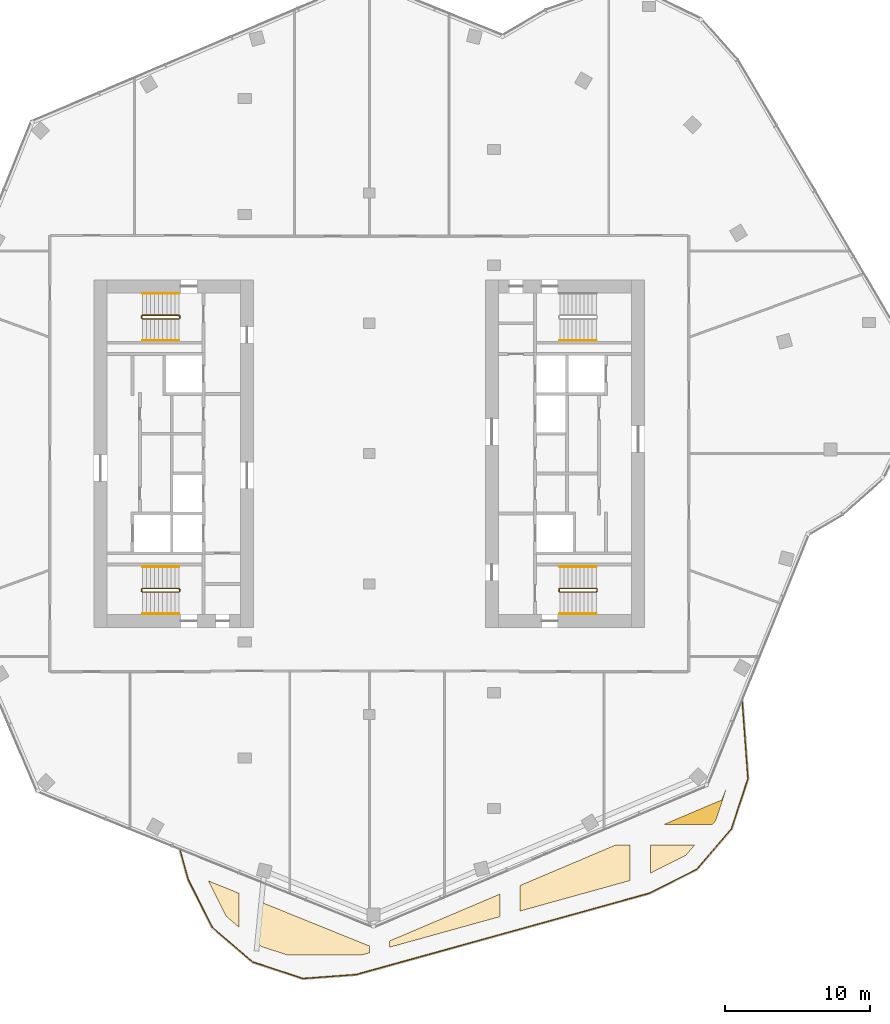
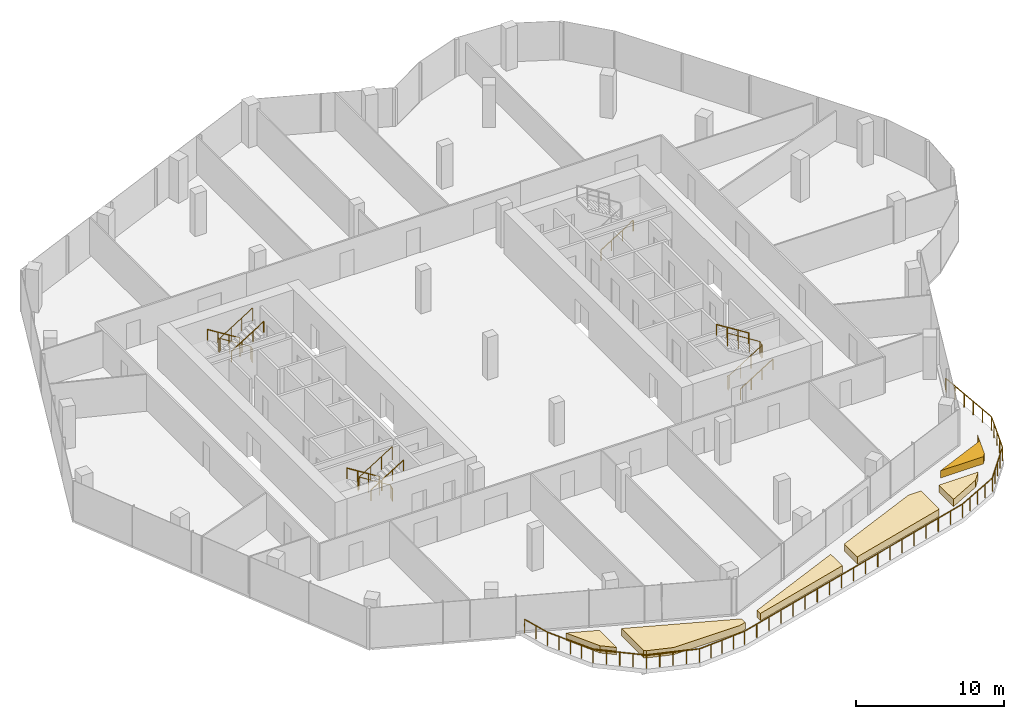
# One storey, part 16 of 17: 11 railings, 6 coverings.
"""IFC4 building model written with IfcOpenShell, lengths in metres."""

from ifc_helpers import new_model, si_unit, direction, frame, origin, origin_2d, place, context, subcontext, project, spatial, polyline, circle, outline, extrude, material, layer, layer_set, type_object, element, save


model = new_model("IFC4")

# Units and contexts
model_context = context("Model", 3, precision=1e-05, world=origin(), true_north=direction((0.0, 1.0)))
body_context = subcontext(model_context, "Body", "Model", "MODEL_VIEW")
ifc_project = project(units=[si_unit("LENGTHUNIT", "METRE"), si_unit("AREAUNIT", "SQUARE_METRE"), si_unit("VOLUMEUNIT", "CUBIC_METRE"), si_unit("PLANEANGLEUNIT", "RADIAN"), si_unit("MASSUNIT", "GRAM", prefix="KILO")], contexts=[model_context])

# Site, building, storey
site_placement = place(None, origin())
site = spatial("IfcSite", under=ifc_project, at=site_placement, CompositionType="ELEMENT")
building_placement = place(site_placement, origin())
building = spatial("IfcBuilding", under=site, at=building_placement, Name="Orlundy Tower", CompositionType="ELEMENT")
storey_placement = place(building_placement, frame((0.0, 0.0, 296.39990234375)))
storey = spatial("IfcBuildingStorey", under=building, at=storey_placement, Name="L79", CompositionType="ELEMENT", Elevation=296.39990234375)

# Coverings
ifc_material_1 = material(Name="Planted soil in precast concrete trough", Category="concrete")
ifc_layer = layer(ifc_material_1, 0.60009765625)
ifc_layer_set = layer_set([ifc_layer], Name="PLANTER box")
covering_type = type_object("IfcCoveringType", Name="PLANTER box", PredefinedType="USERDEFINED", material=ifc_layer_set)
covering_1_placement = place(storey_placement, origin())
element("IfcCovering", 1, at=covering_1_placement, inside=storey, type_object=covering_type, Name="PLANTER L79-00", ObjectType="PLANTER", PredefinedType="USERDEFINED", context=body_context, shape_type="SweptSolid", body=[
    extrude(outline(polyline([(-9.8779296875, -31.929931640625), (-11.111083984375, -29.486083984375), (-9.0, -30.339111328125), (-9.0, -32.68603515625), (-9.8779296875, -31.929931640625)])), origin(), (0.0, 0.0, 1.0), 0.60009765625),
])
covering_2_placement = place(storey_placement, origin())
element("IfcCovering", 2, at=covering_2_placement, inside=storey, type_object=covering_type, Name="PLANTER L79-01", ObjectType="PLANTER", PredefinedType="USERDEFINED", context=body_context, shape_type="SweptSolid", body=[
    extrude(outline(polyline([(-0.531005859375, -34.60009765625), (-5.676025390625, -34.60009765625), (-7.4619140625, -34.010986328125), (-7.60009765625, -33.89208984375), (-7.60009765625, -30.904052734375), (0.0, -33.97509765625), (0.0, -34.452880859375), (-0.531005859375, -34.60009765625)])), origin(), (0.0, 0.0, 1.0), 0.60009765625),
])
covering_3_placement = place(storey_placement, origin())
element("IfcCovering", 3, at=covering_3_placement, inside=storey, type_object=covering_type, Name="PLANTER L79-02", ObjectType="PLANTER", PredefinedType="USERDEFINED", context=body_context, shape_type="SweptSolid", body=[
    extrude(outline(polyline([(1.39990234375, -34.06494140625), (1.39990234375, -33.626953125), (9.0, -30.40087890625), (9.0, -31.95703125), (1.39990234375, -34.06494140625)])), origin(), (0.0, 0.0, 1.0), 0.60009765625),
])
covering_4_placement = place(storey_placement, origin())
element("IfcCovering", 4, at=covering_4_placement, inside=storey, type_object=covering_type, Name="PLANTER L79-03", ObjectType="PLANTER", PredefinedType="USERDEFINED", context=body_context, shape_type="SweptSolid", body=[
    extrude(outline(polyline([(10.39990234375, -31.568115234375), (10.39990234375, -29.805908203125), (17.010986328125, -27.0), (18.0, -27.0), (18.0, -29.4599609375), (10.39990234375, -31.568115234375)])), origin(), (0.0, 0.0, 1.0), 0.60009765625),
])
covering_5_placement = place(storey_placement, origin())
element("IfcCovering", 5, at=covering_5_placement, inside=storey, type_object=covering_type, Name="PLANTER L79-04", ObjectType="PLANTER", PredefinedType="USERDEFINED", context=body_context, shape_type="SweptSolid", body=[
    extrude(outline(polyline([(21.83203125, -27.72705078125), (19.39990234375, -28.951904296875), (19.39990234375, -27.0), (22.4580078125, -27.0), (21.83203125, -27.72705078125)])), origin(), (0.0, 0.0, 1.0), 0.60009765625),
])
covering_6_placement = place(storey_placement, origin())
element("IfcCovering", 6, at=covering_6_placement, inside=storey, type_object=covering_type, Name="PLANTER L79-05", ObjectType="PLANTER", PredefinedType="USERDEFINED", context=body_context, shape_type="SweptSolid", body=[
    extrude(outline(polyline([(23.6630859375, -25.60009765625), (20.30908203125, -25.60009765625), (24.319091796875, -23.89794921875), (24.64794921875, -23.0830078125), (23.9130859375, -25.31005859375), (23.6630859375, -25.60009765625)])), origin(), (0.0, 0.0, 1.0), 0.60009765625),
])

# Railings
ifc_material_2 = material(Name="Steel balustrade", Category="steel")
railing_type_1 = type_object("IfcRailingType", Name="Stair Guard 1100", PredefinedType="GUARDRAIL", material=ifc_material_2)
railing_1_placement = place(storey_placement, frame((-13.090087890625, 9.5, 0.0)))
element("IfcRailing", 7, at=railing_1_placement, inside=storey, type_object=railing_type_1, Name="L79 ST-W1 stair guard 1", PredefinedType="GUARDRAIL", context=body_context, shape_type="SweptSolid", body=[
    extrude(circle(Radius=0.02392578125, at=origin_2d()), frame((0.0, 0.0, 1.076171875), z_axis=(0.0, -1.0, 0.0), x_axis=(1.0, 0.0, 0.0)), (0.0, 0.0, 1.0), 0.14990234375),
    extrude(circle(Radius=0.02392578125, at=origin_2d()), frame((0.0, -0.14990234375, 1.076171875), z_axis=(-0.18420542264, 0.739530593833, 0.647427882513), x_axis=(-0.970351222016, -0.241699205484, 0.0)), (0.0, 0.0, 1.0), 0.270263671875),
    extrude(circle(Radius=0.02392578125, at=origin_2d()), frame((-0.0498046875, 0.050048828125, 1.2509765625), z_axis=(-0.848007534815, 0.0, 0.529984170421), x_axis=(0.0, -1.0, 0.0)), (0.0, 0.0, 1.0), 2.9716796875),
    extrude(circle(Radius=0.02392578125, at=origin_2d()), frame((-2.56982421875, 0.050048828125, 2.826171875), z_axis=(-0.707106781187, -0.707106781187, 0.0), x_axis=(0.707106781187, -0.707106781187, 0.0)), (0.0, 0.0, 1.0), 0.07080078125),
    extrude(circle(Radius=0.02392578125, at=origin_2d()), frame((-2.619873046875, 0.0, 2.826171875), z_axis=(0.0, -1.0, 0.0), x_axis=(1.0, 0.0, 0.0)), (0.0, 0.0, 1.0), 0.14990234375),
    extrude(circle(Radius=0.02392578125, at=origin_2d()), frame((-2.619873046875, -0.14990234375, 2.826171875), z_axis=(0.265065253269, -0.265065253269, 0.927081885822), x_axis=(0.707106781187, 0.707106781187, 0.0)), (0.0, 0.0, 1.0), 0.188720703125),
    extrude(circle(Radius=0.02392578125, at=origin_2d()), frame((-2.56982421875, -0.199951171875, 3.0009765625), z_axis=(0.848007534815, 0.0, 0.529984170421), x_axis=(0.0, 1.0, 0.0)), (0.0, 0.0, 1.0), 2.9716796875),
    extrude(circle(Radius=0.02099609375, at=origin_2d()), origin(), (0.0, 0.0, 1.0), 1.052001953125),
    extrude(circle(Radius=0.02099609375, at=origin_2d()), frame((0.0, -0.14990234375, 0.0)), (0.0, 0.0, 1.0), 1.052001953125),
    extrude(circle(Radius=0.02099609375, at=origin_2d()), frame((-0.0498046875, 0.050048828125, 0.175048828125)), (0.0, 0.0, 1.0), 1.052001953125),
    extrude(circle(Radius=0.02099609375, at=origin_2d()), frame((-0.889892578125, 0.050048828125, 0.699951171875)), (0.0, 0.0, 1.0), 1.052001953125),
    extrude(circle(Radius=0.02099609375, at=origin_2d()), frame((-1.729736328125, 0.050048828125, 1.22509765625)), (0.0, 0.0, 1.0), 1.052001953125),
    extrude(circle(Radius=0.02099609375, at=origin_2d()), frame((-2.56982421875, 0.050048828125, 1.75)), (0.0, 0.0, 1.0), 1.052001953125),
    extrude(circle(Radius=0.02099609375, at=origin_2d()), frame((-2.619873046875, 0.0, 1.75)), (0.0, 0.0, 1.0), 1.052001953125),
    extrude(circle(Radius=0.02099609375, at=origin_2d()), frame((-2.619873046875, -0.14990234375, 1.75)), (0.0, 0.0, 1.0), 1.052001953125),
    extrude(circle(Radius=0.02099609375, at=origin_2d()), frame((-2.56982421875, -0.199951171875, 1.925048828125)), (0.0, 0.0, 1.0), 1.052001953125),
    extrude(circle(Radius=0.02099609375, at=origin_2d()), frame((-1.729736328125, -0.199951171875, 2.449951171875)), (0.0, 0.0, 1.0), 1.052001953125),
    extrude(circle(Radius=0.02099609375, at=origin_2d()), frame((-0.889892578125, -0.199951171875, 2.97509765625)), (0.0, 0.0, 1.0), 1.052001953125),
    extrude(circle(Radius=0.02099609375, at=origin_2d()), frame((-0.0498046875, -0.199951171875, 3.5)), (0.0, 0.0, 1.0), 1.052001953125),
])
railing_2_placement = place(storey_placement, frame((-13.090087890625, -9.35009765625, 0.0)))
element("IfcRailing", 8, at=railing_2_placement, inside=storey, type_object=railing_type_1, Name="L79 ST-W2 stair guard 1", PredefinedType="GUARDRAIL", context=body_context, shape_type="SweptSolid", body=[
    extrude(circle(Radius=0.02392578125, at=origin_2d()), frame((0.0, 0.0, 1.076171875), z_axis=(0.0, -1.0, 0.0), x_axis=(1.0, 0.0, 0.0)), (0.0, 0.0, 1.0), 0.14990234375),
    extrude(circle(Radius=0.02392578125, at=origin_2d()), frame((0.0, -0.14990234375, 1.076171875), z_axis=(-0.18420542264, 0.739530593833, 0.647427882513), x_axis=(-0.970351222016, -0.241699205484, 0.0)), (0.0, 0.0, 1.0), 0.270263671875),
    extrude(circle(Radius=0.02392578125, at=origin_2d()), frame((-0.0498046875, 0.050048828125, 1.2509765625), z_axis=(-0.848007534815, 0.0, 0.529984170421), x_axis=(0.0, -1.0, 0.0)), (0.0, 0.0, 1.0), 2.9716796875),
    extrude(circle(Radius=0.02392578125, at=origin_2d()), frame((-2.56982421875, 0.050048828125, 2.826171875), z_axis=(-0.707106781187, -0.707106781187, 0.0), x_axis=(0.707106781187, -0.707106781187, 0.0)), (0.0, 0.0, 1.0), 0.07080078125),
    extrude(circle(Radius=0.02392578125, at=origin_2d()), frame((-2.619873046875, 0.0, 2.826171875), z_axis=(0.0, -1.0, 0.0), x_axis=(1.0, 0.0, 0.0)), (0.0, 0.0, 1.0), 0.14990234375),
    extrude(circle(Radius=0.02392578125, at=origin_2d()), frame((-2.619873046875, -0.14990234375, 2.826171875), z_axis=(0.265065253269, -0.265065253269, 0.927081885822), x_axis=(0.707106781187, 0.707106781187, 0.0)), (0.0, 0.0, 1.0), 0.188720703125),
    extrude(circle(Radius=0.02392578125, at=origin_2d()), frame((-2.56982421875, -0.199951171875, 3.0009765625), z_axis=(0.848007534815, 0.0, 0.529984170421), x_axis=(0.0, 1.0, 0.0)), (0.0, 0.0, 1.0), 2.9716796875),
    extrude(circle(Radius=0.02099609375, at=origin_2d()), origin(), (0.0, 0.0, 1.0), 1.052001953125),
    extrude(circle(Radius=0.02099609375, at=origin_2d()), frame((0.0, -0.14990234375, 0.0)), (0.0, 0.0, 1.0), 1.052001953125),
    extrude(circle(Radius=0.02099609375, at=origin_2d()), frame((-0.0498046875, 0.050048828125, 0.175048828125)), (0.0, 0.0, 1.0), 1.052001953125),
    extrude(circle(Radius=0.02099609375, at=origin_2d()), frame((-0.889892578125, 0.050048828125, 0.699951171875)), (0.0, 0.0, 1.0), 1.052001953125),
    extrude(circle(Radius=0.02099609375, at=origin_2d()), frame((-1.729736328125, 0.050048828125, 1.22509765625)), (0.0, 0.0, 1.0), 1.052001953125),
    extrude(circle(Radius=0.02099609375, at=origin_2d()), frame((-2.56982421875, 0.050048828125, 1.75)), (0.0, 0.0, 1.0), 1.052001953125),
    extrude(circle(Radius=0.02099609375, at=origin_2d()), frame((-2.619873046875, 0.0, 1.75)), (0.0, 0.0, 1.0), 1.052001953125),
    extrude(circle(Radius=0.02099609375, at=origin_2d()), frame((-2.619873046875, -0.14990234375, 1.75)), (0.0, 0.0, 1.0), 1.052001953125),
    extrude(circle(Radius=0.02099609375, at=origin_2d()), frame((-2.56982421875, -0.199951171875, 1.925048828125)), (0.0, 0.0, 1.0), 1.052001953125),
    extrude(circle(Radius=0.02099609375, at=origin_2d()), frame((-1.729736328125, -0.199951171875, 2.449951171875)), (0.0, 0.0, 1.0), 1.052001953125),
    extrude(circle(Radius=0.02099609375, at=origin_2d()), frame((-0.889892578125, -0.199951171875, 2.97509765625)), (0.0, 0.0, 1.0), 1.052001953125),
    extrude(circle(Radius=0.02099609375, at=origin_2d()), frame((-0.0498046875, -0.199951171875, 3.5)), (0.0, 0.0, 1.0), 1.052001953125),
])
railing_3_placement = place(storey_placement, frame((13.090087890625, -9.5, 0.0)))
element("IfcRailing", 9, at=railing_3_placement, inside=storey, type_object=railing_type_1, Name="L79 ST-E1 stair guard 1", PredefinedType="GUARDRAIL", context=body_context, shape_type="SweptSolid", body=[
    extrude(circle(Radius=0.02392578125, at=origin_2d()), frame((0.0, 0.0, 1.076171875), z_axis=(0.0, 1.0, 0.0), x_axis=(-1.0, 0.0, 0.0)), (0.0, 0.0, 1.0), 0.14990234375),
    extrude(circle(Radius=0.02392578125, at=origin_2d()), frame((0.0, 0.14990234375, 1.076171875), z_axis=(0.18420542264, -0.739530593833, 0.647427882513), x_axis=(0.970351222016, 0.241699205484, 0.0)), (0.0, 0.0, 1.0), 0.270263671875),
    extrude(circle(Radius=0.02392578125, at=origin_2d()), frame((0.0498046875, -0.050048828125, 1.2509765625), z_axis=(0.848007534815, 0.0, 0.529984170421), x_axis=(0.0, 1.0, 0.0)), (0.0, 0.0, 1.0), 2.9716796875),
    extrude(circle(Radius=0.02392578125, at=origin_2d()), frame((2.56982421875, -0.050048828125, 2.826171875), z_axis=(0.707106781187, 0.707106781187, 0.0), x_axis=(-0.707106781187, 0.707106781187, 0.0)), (0.0, 0.0, 1.0), 0.07080078125),
    extrude(circle(Radius=0.02392578125, at=origin_2d()), frame((2.619873046875, 0.0, 2.826171875), z_axis=(0.0, 1.0, 0.0), x_axis=(-1.0, 0.0, 0.0)), (0.0, 0.0, 1.0), 0.14990234375),
    extrude(circle(Radius=0.02392578125, at=origin_2d()), frame((2.619873046875, 0.14990234375, 2.826171875), z_axis=(-0.265065253269, 0.265065253269, 0.927081885822), x_axis=(-0.707106781187, -0.707106781187, 0.0)), (0.0, 0.0, 1.0), 0.188720703125),
    extrude(circle(Radius=0.02392578125, at=origin_2d()), frame((2.56982421875, 0.199951171875, 3.0009765625), z_axis=(-0.848007534815, 0.0, 0.529984170421), x_axis=(0.0, -1.0, 0.0)), (0.0, 0.0, 1.0), 2.9716796875),
    extrude(circle(Radius=0.02099609375, at=origin_2d()), origin(), (0.0, 0.0, 1.0), 1.052001953125),
    extrude(circle(Radius=0.02099609375, at=origin_2d()), frame((0.0, 0.14990234375, 0.0)), (0.0, 0.0, 1.0), 1.052001953125),
    extrude(circle(Radius=0.02099609375, at=origin_2d()), frame((0.0498046875, -0.050048828125, 0.175048828125)), (0.0, 0.0, 1.0), 1.052001953125),
    extrude(circle(Radius=0.02099609375, at=origin_2d()), frame((0.889892578125, -0.050048828125, 0.699951171875)), (0.0, 0.0, 1.0), 1.052001953125),
    extrude(circle(Radius=0.02099609375, at=origin_2d()), frame((1.729736328125, -0.050048828125, 1.22509765625)), (0.0, 0.0, 1.0), 1.052001953125),
    extrude(circle(Radius=0.02099609375, at=origin_2d()), frame((2.56982421875, -0.050048828125, 1.75)), (0.0, 0.0, 1.0), 1.052001953125),
    extrude(circle(Radius=0.02099609375, at=origin_2d()), frame((2.619873046875, 0.0, 1.75)), (0.0, 0.0, 1.0), 1.052001953125),
    extrude(circle(Radius=0.02099609375, at=origin_2d()), frame((2.619873046875, 0.14990234375, 1.75)), (0.0, 0.0, 1.0), 1.052001953125),
    extrude(circle(Radius=0.02099609375, at=origin_2d()), frame((2.56982421875, 0.199951171875, 1.925048828125)), (0.0, 0.0, 1.0), 1.052001953125),
    extrude(circle(Radius=0.02099609375, at=origin_2d()), frame((1.729736328125, 0.199951171875, 2.449951171875)), (0.0, 0.0, 1.0), 1.052001953125),
    extrude(circle(Radius=0.02099609375, at=origin_2d()), frame((0.889892578125, 0.199951171875, 2.97509765625)), (0.0, 0.0, 1.0), 1.052001953125),
    extrude(circle(Radius=0.02099609375, at=origin_2d()), frame((0.0498046875, 0.199951171875, 3.5)), (0.0, 0.0, 1.0), 1.052001953125),
])
ifc_material_3 = material(Name="Steel handrail", Category="steel")
railing_type_2 = type_object("IfcRailingType", Name="Stair Handrail 900", PredefinedType="HANDRAIL", material=ifc_material_3)
railing_4_placement = place(storey_placement, frame((-13.139892578125, 11.050048828125, 0.175048828125)))
element("IfcRailing", 10, at=railing_4_placement, inside=storey, type_object=railing_type_2, Name="L79 ST-W1 stair handrail 1", PredefinedType="HANDRAIL", context=body_context, shape_type="SweptSolid", body=[
    extrude(circle(Radius=0.02392578125, at=origin_2d()), frame((0.0, 0.0, 0.8759765625), z_axis=(-0.848007534815, 0.0, 0.529984170421), x_axis=(0.0, -1.0, 0.0)), (0.0, 0.0, 1.0), 2.9716796875),
    extrude(circle(Radius=0.02099609375, at=origin_2d()), origin(), (0.0, 0.0, 1.0), 0.851806640625),
    extrude(circle(Radius=0.02099609375, at=origin_2d()), frame((-0.840087890625, 0.0, 0.52490234375)), (0.0, 0.0, 1.0), 0.851806640625),
    extrude(circle(Radius=0.02099609375, at=origin_2d()), frame((-1.679931640625, 0.0, 1.050048828125)), (0.0, 0.0, 1.0), 0.851806640625),
    extrude(circle(Radius=0.02099609375, at=origin_2d()), frame((-2.52001953125, 0.0, 1.574951171875)), (0.0, 0.0, 1.0), 0.851806640625),
])
railing_5_placement = place(storey_placement, frame((-15.659912109375, 7.800048828125, 1.925048828125)))
element("IfcRailing", 11, at=railing_5_placement, inside=storey, type_object=railing_type_2, Name="L79 ST-W1 stair handrail 2", PredefinedType="HANDRAIL", context=body_context, shape_type="SweptSolid", body=[
    extrude(circle(Radius=0.02392578125, at=origin_2d()), frame((0.0, 0.0, 0.8759765625), z_axis=(0.848007534815, 0.0, 0.529984170421), x_axis=(0.0, 1.0, 0.0)), (0.0, 0.0, 1.0), 2.9716796875),
    extrude(circle(Radius=0.02099609375, at=origin_2d()), origin(), (0.0, 0.0, 1.0), 0.851806640625),
    extrude(circle(Radius=0.02099609375, at=origin_2d()), frame((0.840087890625, 0.0, 0.52490234375)), (0.0, 0.0, 1.0), 0.851806640625),
    extrude(circle(Radius=0.02099609375, at=origin_2d()), frame((1.679931640625, 0.0, 1.050048828125)), (0.0, 0.0, 1.0), 0.851806640625),
    extrude(circle(Radius=0.02099609375, at=origin_2d()), frame((2.52001953125, 0.0, 1.574951171875)), (0.0, 0.0, 1.0), 0.851806640625),
])
railing_6_placement = place(storey_placement, frame((-13.139892578125, -7.800048828125, 0.175048828125)))
element("IfcRailing", 12, at=railing_6_placement, inside=storey, type_object=railing_type_2, Name="L79 ST-W2 stair handrail 1", PredefinedType="HANDRAIL", context=body_context, shape_type="SweptSolid", body=[
    extrude(circle(Radius=0.02392578125, at=origin_2d()), frame((0.0, 0.0, 0.8759765625), z_axis=(-0.848007534815, 0.0, 0.529984170421), x_axis=(0.0, -1.0, 0.0)), (0.0, 0.0, 1.0), 2.9716796875),
    extrude(circle(Radius=0.02099609375, at=origin_2d()), origin(), (0.0, 0.0, 1.0), 0.851806640625),
    extrude(circle(Radius=0.02099609375, at=origin_2d()), frame((-0.840087890625, 0.0, 0.52490234375)), (0.0, 0.0, 1.0), 0.851806640625),
    extrude(circle(Radius=0.02099609375, at=origin_2d()), frame((-1.679931640625, 0.0, 1.050048828125)), (0.0, 0.0, 1.0), 0.851806640625),
    extrude(circle(Radius=0.02099609375, at=origin_2d()), frame((-2.52001953125, 0.0, 1.574951171875)), (0.0, 0.0, 1.0), 0.851806640625),
])
for number, where, name in (
    (13, (-15.659912109375, -11.050048828125, 1.925048828125), "L79 ST-W2 stair handrail 2"),
    (14, (13.139892578125, -11.050048828125, 0.175048828125), "L79 ST-E1 stair handrail 1"),
):
    element("IfcRailing", number, at=place(storey_placement, frame(where)), inside=storey, type_object=railing_type_2, Name=name, PredefinedType="HANDRAIL", context=body_context, shape_type="SweptSolid", body=[
        extrude(circle(Radius=0.02392578125, at=origin_2d()), frame((0.0, 0.0, 0.8759765625), z_axis=(0.848007534815, 0.0, 0.529984170421), x_axis=(0.0, 1.0, 0.0)), (0.0, 0.0, 1.0), 2.9716796875),
        extrude(circle(Radius=0.02099609375, at=origin_2d()), origin(), (0.0, 0.0, 1.0), 0.851806640625),
        extrude(circle(Radius=0.02099609375, at=origin_2d()), frame((0.840087890625, 0.0, 0.52490234375)), (0.0, 0.0, 1.0), 0.851806640625),
        extrude(circle(Radius=0.02099609375, at=origin_2d()), frame((1.679931640625, 0.0, 1.050048828125)), (0.0, 0.0, 1.0), 0.851806640625),
        extrude(circle(Radius=0.02099609375, at=origin_2d()), frame((2.52001953125, 0.0, 1.574951171875)), (0.0, 0.0, 1.0), 0.851806640625),
    ])
railing_7_placement = place(storey_placement, frame((15.659912109375, -7.800048828125, 1.925048828125)))
element("IfcRailing", 15, at=railing_7_placement, inside=storey, type_object=railing_type_2, Name="L79 ST-E1 stair handrail 2", PredefinedType="HANDRAIL", context=body_context, shape_type="SweptSolid", body=[
    extrude(circle(Radius=0.02392578125, at=origin_2d()), frame((0.0, 0.0, 0.8759765625), z_axis=(-0.848007534815, 0.0, 0.529984170421), x_axis=(0.0, -1.0, 0.0)), (0.0, 0.0, 1.0), 2.9716796875),
    extrude(circle(Radius=0.02099609375, at=origin_2d()), origin(), (0.0, 0.0, 1.0), 0.851806640625),
    extrude(circle(Radius=0.02099609375, at=origin_2d()), frame((-0.840087890625, 0.0, 0.52490234375)), (0.0, 0.0, 1.0), 0.851806640625),
    extrude(circle(Radius=0.02099609375, at=origin_2d()), frame((-1.679931640625, 0.0, 1.050048828125)), (0.0, 0.0, 1.0), 0.851806640625),
    extrude(circle(Radius=0.02099609375, at=origin_2d()), frame((-2.52001953125, 0.0, 1.574951171875)), (0.0, 0.0, 1.0), 0.851806640625),
])
railing_8_placement = place(storey_placement, frame((13.139892578125, 7.800048828125, 0.175048828125)))
element("IfcRailing", 16, at=railing_8_placement, inside=storey, type_object=railing_type_2, Name="L79 ST-E2 stair handrail 1", PredefinedType="HANDRAIL", context=body_context, shape_type="SweptSolid", body=[
    extrude(circle(Radius=0.02392578125, at=origin_2d()), frame((0.0, 0.0, 0.8759765625), z_axis=(0.848007534815, 0.0, 0.529984170421), x_axis=(0.0, 1.0, 0.0)), (0.0, 0.0, 1.0), 2.9716796875),
    extrude(circle(Radius=0.02099609375, at=origin_2d()), origin(), (0.0, 0.0, 1.0), 0.851806640625),
    extrude(circle(Radius=0.02099609375, at=origin_2d()), frame((0.840087890625, 0.0, 0.52490234375)), (0.0, 0.0, 1.0), 0.851806640625),
    extrude(circle(Radius=0.02099609375, at=origin_2d()), frame((1.679931640625, 0.0, 1.050048828125)), (0.0, 0.0, 1.0), 0.851806640625),
    extrude(circle(Radius=0.02099609375, at=origin_2d()), frame((2.52001953125, 0.0, 1.574951171875)), (0.0, 0.0, 1.0), 0.851806640625),
])
ifc_material_4 = material(Name="Stainless steel bronze finish", Category="steel")
railing_type_3 = type_object("IfcRailingType", Name="TG1 terrace guard", PredefinedType="GUARDRAIL", material=ifc_material_4)
railing_9_placement = place(storey_placement, frame((25.72607421875, -16.99853515625, 0.0)))
element("IfcRailing", 17, at=railing_9_placement, inside=storey, type_object=railing_type_3, Name="Guard TG-L79-00", PredefinedType="GUARDRAIL", context=body_context, shape_type="SweptSolid", body=[
    extrude(circle(Radius=0.02490234375, at=origin_2d()), frame((0.0, 0.0, 1.09521484375), z_axis=(0.073594324947, -0.997288260903, 0.0), x_axis=(0.997288260903, 0.073594324947, 0.0)), (0.0, 0.0, 1.0), 5.447265625),
    extrude(circle(Radius=0.02490234375, at=origin_2d()), frame((0.40087890625, -5.432373046875, 1.09521484375), z_axis=(-0.313330020354, -0.949644300959, 0.0), x_axis=(0.949644300959, -0.313330020354, 0.0)), (0.0, 0.0, 1.0), 3.666748046875),
    extrude(circle(Radius=0.02490234375, at=origin_2d()), frame((-0.748046875, -8.91455078125, 1.09521484375), z_axis=(-0.652686681897, -0.757627939872, 0.0), x_axis=(0.757627939872, -0.652686681897, 0.0)), (0.0, 0.0, 1.0), 3.66650390625),
    extrude(circle(Radius=0.02490234375, at=origin_2d()), frame((-3.14111328125, -11.6923828125, 1.09521484375), z_axis=(-0.893054898997, -0.449947716271, 0.0), x_axis=(0.449947716271, -0.893054898997, 0.0)), (0.0, 0.0, 1.0), 3.676025390625),
    extrude(circle(Radius=0.02490234375, at=origin_2d()), frame((-6.424072265625, -13.346435546875, 1.09521484375), z_axis=(-0.963627361073, -0.267249525709, 0.0), x_axis=(0.267249525709, -0.963627361073, 0.0)), (0.0, 0.0, 1.0), 20.980224609375),
    extrude(circle(Radius=0.02490234375, at=origin_2d()), frame((-26.64111328125, -18.953369140625, 1.09521484375), z_axis=(-0.997237789934, -0.074275098971, 0.0), x_axis=(0.074275098971, -0.997237789934, 0.0)), (0.0, 0.0, 1.0), 3.67822265625),
    extrude(circle(Radius=0.02490234375, at=origin_2d()), frame((-30.30908203125, -19.2265625, 1.09521484375), z_axis=(-0.949617948549, 0.313409878265, 0.0), x_axis=(-0.313409878265, -0.949617948549, 0.0)), (0.0, 0.0, 1.0), 3.666748046875),
    extrude(circle(Radius=0.02490234375, at=origin_2d()), frame((-33.791015625, -18.077392578125, 1.09521484375), z_axis=(-0.757575755896, 0.6527472513, 0.0), x_axis=(-0.6527472513, -0.757575755896, 0.0)), (0.0, 0.0, 1.0), 3.665771484375),
    extrude(circle(Radius=0.02490234375, at=origin_2d()), frame((-36.568115234375, -15.6845703125, 1.09521484375), z_axis=(-0.450344606374, 0.892854823311, 0.0), x_axis=(-0.892854823311, -0.450344606374, 0.0)), (0.0, 0.0, 1.0), 3.67724609375),
    extrude(circle(Radius=0.02490234375, at=origin_2d()), frame((-38.22412109375, -12.4013671875, 1.09521484375), z_axis=(-0.266917705028, 0.963719325708, 0.0), x_axis=(-0.963719325708, -0.266917705028, 0.0)), (0.0, 0.0, 1.0), 2.167724609375),
    extrude(circle(Radius=0.02001953125, at=origin_2d()), origin(), (0.0, 0.0, 1.0), 1.070068359375),
    extrude(circle(Radius=0.02001953125, at=origin_2d()), frame((0.080078125, -1.08642578125, 0.0)), (0.0, 0.0, 1.0), 1.070068359375),
    extrude(circle(Radius=0.02001953125, at=origin_2d()), frame((0.160400390625, -2.1728515625, 0.0)), (0.0, 0.0, 1.0), 1.070068359375),
    extrude(circle(Radius=0.02001953125, at=origin_2d()), frame((0.240478515625, -3.259521484375, 0.0)), (0.0, 0.0, 1.0), 1.070068359375),
    extrude(circle(Radius=0.02001953125, at=origin_2d()), frame((0.32080078125, -4.345947265625, 0.0)), (0.0, 0.0, 1.0), 1.070068359375),
    extrude(circle(Radius=0.02001953125, at=origin_2d()), frame((0.40087890625, -5.432373046875, 0.0)), (0.0, 0.0, 1.0), 1.070068359375),
    extrude(circle(Radius=0.02001953125, at=origin_2d()), frame((0.11376953125, -6.302978515625, 0.0)), (0.0, 0.0, 1.0), 1.070068359375),
    extrude(circle(Radius=0.02001953125, at=origin_2d()), frame((-0.173583984375, -7.17333984375, 0.0)), (0.0, 0.0, 1.0), 1.070068359375),
    extrude(circle(Radius=0.02001953125, at=origin_2d()), frame((-0.4609375, -8.0439453125, 0.0)), (0.0, 0.0, 1.0), 1.070068359375),
    extrude(circle(Radius=0.02001953125, at=origin_2d()), frame((-0.748046875, -8.91455078125, 0.0)), (0.0, 0.0, 1.0), 1.070068359375),
    extrude(circle(Radius=0.02001953125, at=origin_2d()), frame((-1.34619140625, -9.60888671875, 0.0)), (0.0, 0.0, 1.0), 1.070068359375),
    extrude(circle(Radius=0.02001953125, at=origin_2d()), frame((-1.944580078125, -10.303466796875, 0.0)), (0.0, 0.0, 1.0), 1.070068359375),
    extrude(circle(Radius=0.02001953125, at=origin_2d()), frame((-2.54296875, -10.998046875, 0.0)), (0.0, 0.0, 1.0), 1.070068359375),
    extrude(circle(Radius=0.02001953125, at=origin_2d()), frame((-3.14111328125, -11.6923828125, 0.0)), (0.0, 0.0, 1.0), 1.070068359375),
    extrude(circle(Radius=0.02001953125, at=origin_2d()), frame((-3.9619140625, -12.10595703125, 0.0)), (0.0, 0.0, 1.0), 1.070068359375),
    extrude(circle(Radius=0.02001953125, at=origin_2d()), frame((-4.78271484375, -12.51953125, 0.0)), (0.0, 0.0, 1.0), 1.070068359375),
    extrude(circle(Radius=0.02001953125, at=origin_2d()), frame((-5.603271484375, -12.932861328125, 0.0)), (0.0, 0.0, 1.0), 1.070068359375),
    extrude(circle(Radius=0.02001953125, at=origin_2d()), frame((-6.424072265625, -13.346435546875, 0.0)), (0.0, 0.0, 1.0), 1.070068359375),
    extrude(circle(Radius=0.02001953125, at=origin_2d()), frame((-7.54736328125, -13.657958984375, 0.0)), (0.0, 0.0, 1.0), 1.070068359375),
    extrude(circle(Radius=0.02001953125, at=origin_2d()), frame((-8.67041015625, -13.969482421875, 0.0)), (0.0, 0.0, 1.0), 1.070068359375),
    extrude(circle(Radius=0.02001953125, at=origin_2d()), frame((-9.79345703125, -14.281005859375, 0.0)), (0.0, 0.0, 1.0), 1.070068359375),
    extrude(circle(Radius=0.02001953125, at=origin_2d()), frame((-10.916748046875, -14.592529296875, 0.0)), (0.0, 0.0, 1.0), 1.070068359375),
    extrude(circle(Radius=0.02001953125, at=origin_2d()), frame((-12.0400390625, -14.90380859375, 0.0)), (0.0, 0.0, 1.0), 1.070068359375),
    extrude(circle(Radius=0.02001953125, at=origin_2d()), frame((-13.1630859375, -15.21533203125, 0.0)), (0.0, 0.0, 1.0), 1.070068359375),
    extrude(circle(Radius=0.02001953125, at=origin_2d()), frame((-14.2861328125, -15.52685546875, 0.0)), (0.0, 0.0, 1.0), 1.070068359375),
    extrude(circle(Radius=0.02001953125, at=origin_2d()), frame((-15.409423828125, -15.83837890625, 0.0)), (0.0, 0.0, 1.0), 1.070068359375),
    extrude(circle(Radius=0.02001953125, at=origin_2d()), frame((-16.53271484375, -16.14990234375, 0.0)), (0.0, 0.0, 1.0), 1.070068359375),
    extrude(circle(Radius=0.02001953125, at=origin_2d()), frame((-17.65576171875, -16.46142578125, 0.0)), (0.0, 0.0, 1.0), 1.070068359375),
    extrude(circle(Radius=0.02001953125, at=origin_2d()), frame((-18.77880859375, -16.77294921875, 0.0)), (0.0, 0.0, 1.0), 1.070068359375),
    extrude(circle(Radius=0.02001953125, at=origin_2d()), frame((-19.902099609375, -17.08447265625, 0.0)), (0.0, 0.0, 1.0), 1.070068359375),
    extrude(circle(Radius=0.02001953125, at=origin_2d()), frame((-21.025390625, -17.39599609375, 0.0)), (0.0, 0.0, 1.0), 1.070068359375),
    extrude(circle(Radius=0.02001953125, at=origin_2d()), frame((-22.1484375, -17.707275390625, 0.0)), (0.0, 0.0, 1.0), 1.070068359375),
    extrude(circle(Radius=0.02001953125, at=origin_2d()), frame((-23.271484375, -18.018798828125, 0.0)), (0.0, 0.0, 1.0), 1.070068359375),
    extrude(circle(Radius=0.02001953125, at=origin_2d()), frame((-24.394775390625, -18.330322265625, 0.0)), (0.0, 0.0, 1.0), 1.070068359375),
    extrude(circle(Radius=0.02001953125, at=origin_2d()), frame((-25.51806640625, -18.641845703125, 0.0)), (0.0, 0.0, 1.0), 1.070068359375),
    extrude(circle(Radius=0.02001953125, at=origin_2d()), frame((-26.64111328125, -18.953369140625, 0.0)), (0.0, 0.0, 1.0), 1.070068359375),
    extrude(circle(Radius=0.02001953125, at=origin_2d()), frame((-27.55810546875, -19.021728515625, 0.0)), (0.0, 0.0, 1.0), 1.070068359375),
    extrude(circle(Radius=0.02001953125, at=origin_2d()), frame((-28.47509765625, -19.08984375, 0.0)), (0.0, 0.0, 1.0), 1.070068359375),
    extrude(circle(Radius=0.02001953125, at=origin_2d()), frame((-29.39208984375, -19.158203125, 0.0)), (0.0, 0.0, 1.0), 1.070068359375),
    extrude(circle(Radius=0.02001953125, at=origin_2d()), frame((-30.30908203125, -19.2265625, 0.0)), (0.0, 0.0, 1.0), 1.070068359375),
    extrude(circle(Radius=0.02001953125, at=origin_2d()), frame((-31.1796875, -18.939208984375, 0.0)), (0.0, 0.0, 1.0), 1.070068359375),
    extrude(circle(Radius=0.02001953125, at=origin_2d()), frame((-32.050048828125, -18.65185546875, 0.0)), (0.0, 0.0, 1.0), 1.070068359375),
    extrude(circle(Radius=0.02001953125, at=origin_2d()), frame((-32.92041015625, -18.36474609375, 0.0)), (0.0, 0.0, 1.0), 1.070068359375),
    extrude(circle(Radius=0.02001953125, at=origin_2d()), frame((-33.791015625, -18.077392578125, 0.0)), (0.0, 0.0, 1.0), 1.070068359375),
    extrude(circle(Radius=0.02001953125, at=origin_2d()), frame((-34.4853515625, -17.479248046875, 0.0)), (0.0, 0.0, 1.0), 1.070068359375),
    extrude(circle(Radius=0.02001953125, at=origin_2d()), frame((-35.1796875, -16.880859375, 0.0)), (0.0, 0.0, 1.0), 1.070068359375),
    extrude(circle(Radius=0.02001953125, at=origin_2d()), frame((-35.873779296875, -16.28271484375, 0.0)), (0.0, 0.0, 1.0), 1.070068359375),
    extrude(circle(Radius=0.02001953125, at=origin_2d()), frame((-36.568115234375, -15.6845703125, 0.0)), (0.0, 0.0, 1.0), 1.070068359375),
    extrude(circle(Radius=0.02001953125, at=origin_2d()), frame((-36.982177734375, -14.86376953125, 0.0)), (0.0, 0.0, 1.0), 1.070068359375),
    extrude(circle(Radius=0.02001953125, at=origin_2d()), frame((-37.39599609375, -14.04296875, 0.0)), (0.0, 0.0, 1.0), 1.070068359375),
    extrude(circle(Radius=0.02001953125, at=origin_2d()), frame((-37.81005859375, -13.22216796875, 0.0)), (0.0, 0.0, 1.0), 1.070068359375),
    extrude(circle(Radius=0.02001953125, at=origin_2d()), frame((-38.22412109375, -12.4013671875, 0.0)), (0.0, 0.0, 1.0), 1.070068359375),
    extrude(circle(Radius=0.02001953125, at=origin_2d()), frame((-38.513427734375, -11.35693359375, 0.0)), (0.0, 0.0, 1.0), 1.070068359375),
    extrude(circle(Radius=0.02001953125, at=origin_2d()), frame((-38.802734375, -10.312255859375, 0.0)), (0.0, 0.0, 1.0), 1.070068359375),
])

save(model, "model.ifc")
